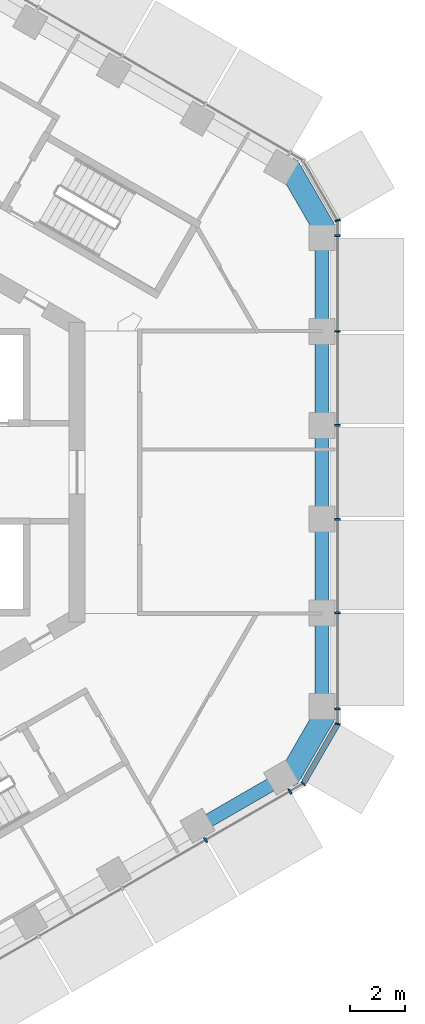
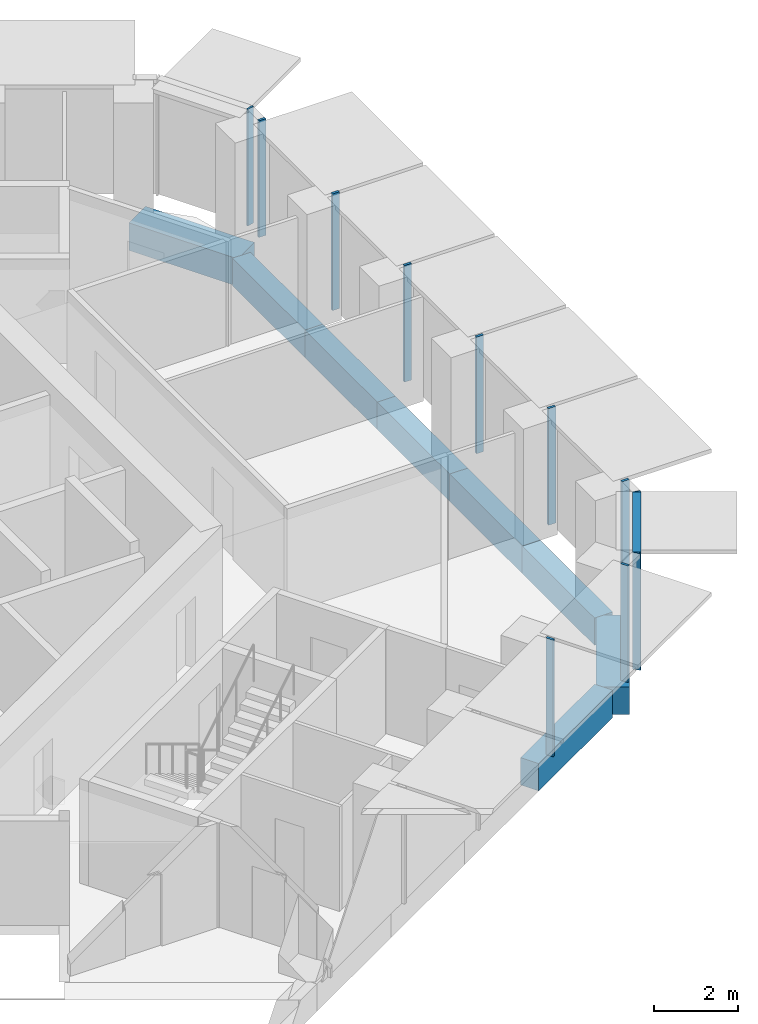
# One storey, part 5 of 18: 12 members, 8 beams, 4 elements without a shape of their own.
"""IFC4 building model written with IfcOpenShell, lengths in metres."""

from ifc_helpers import new_model, si_unit, direction, frame, origin, origin_2d, place, context, subcontext, project, spatial, rectangle, extrude, material, layer, layer_set, material_profile, profile_set, type_object, element, aggregate, save


model = new_model("IFC4")

# Units and contexts
model_context = context("Model", 3, precision=1e-05, world=origin(), true_north=direction((0.0, 1.0)))
body_context = subcontext(model_context, "Body", "Model", "MODEL_VIEW")
ifc_project = project(units=[si_unit("LENGTHUNIT", "METRE"), si_unit("AREAUNIT", "SQUARE_METRE"), si_unit("VOLUMEUNIT", "CUBIC_METRE"), si_unit("PLANEANGLEUNIT", "RADIAN"), si_unit("MASSUNIT", "GRAM", prefix="KILO")], contexts=[model_context])

# Site, building, storey
site_placement = place(None, origin())
site = spatial("IfcSite", under=ifc_project, at=site_placement, CompositionType="ELEMENT")
building_placement = place(site_placement, origin())
building = spatial("IfcBuilding", under=site, at=building_placement, Name="Ayvan Gate Tower", CompositionType="ELEMENT")
storey_placement = place(building_placement, frame((0.0, 0.0, 159.5)))
storey = spatial("IfcBuildingStorey", under=building, at=storey_placement, Name="L42", CompositionType="ELEMENT", Elevation=159.5)

# Beams
ifc_material_1 = material(Name="Concrete C40/50", Category="concrete")
ifc_material_profile_1 = material_profile(ifc_material_1, rectangle(XDim=0.800048828125, YDim=0.800048828125, at=origin_2d()), Name="RC 800x800")
ifc_profile_set_1 = profile_set([ifc_material_profile_1], Name="Concrete C40/50")
beam_type_1 = type_object("IfcBeamType", Name="Corner spandrel beam RC 800x800 C40/50", PredefinedType="BEAM", material=ifc_profile_set_1)
for number, where, z_axis, x_axis, name in (
    (1, (18.376953125, 8.756103515625, -0.75), (-0.50002537861, 0.866010750942, 0.0), (-0.866010750942, -0.50002537861, 0.0), "SB-L42-6"),
    (2, (16.876953125, -11.35400390625, -0.75), (0.50002537861, 0.866010750942, 0.0), (-0.866010750942, 0.50002537861, 0.0), "SB-L42-36"),
):
    element("IfcBeam", number, at=place(storey_placement, frame(where, z_axis=z_axis, x_axis=x_axis)), inside=storey, type_object=beam_type_1, Name=name, PredefinedType="BEAM", context=body_context, shape_type="SweptSolid", body=[
        extrude(rectangle(XDim=0.800048828125, YDim=0.800048828125, at=origin_2d()), origin(), (0.0, 0.0, 1.0), 2.999755859375),
    ])
ifc_material_profile_2 = material_profile(ifc_material_1, rectangle(XDim=0.5, YDim=0.800048828125, at=origin_2d()), Name="RC 500x800")
ifc_profile_set_2 = profile_set([ifc_material_profile_2], Name="Concrete C40/50")
beam_type_2 = type_object("IfcBeamType", Name="Spandrel beam RC 500x800 C40/50", PredefinedType="BEAM", material=ifc_profile_set_2)
beam_1_placement = place(storey_placement, frame((18.1865234375, -8.64599609375, -0.75), z_axis=(0.0, 1.0, 0.0), x_axis=(-1.0, 0.0, 0.0)))
element("IfcBeam", 3, at=beam_1_placement, inside=storey, type_object=beam_type_2, Name="SB-L42-1", PredefinedType="BEAM", context=body_context, shape_type="SweptSolid", body=[
    extrude(rectangle(XDim=0.5, YDim=0.800048828125, at=origin_2d()), origin(), (0.0, 0.0, 1.0), 3.45849609375),
])
beam_2_placement = place(storey_placement, frame((18.1865234375, -5.1875, -0.75), z_axis=(0.0, 1.0, 0.0), x_axis=(-1.0, 0.0, 0.0)))
element("IfcBeam", 4, at=beam_2_placement, inside=storey, type_object=beam_type_2, Name="SB-L42-2", PredefinedType="BEAM", context=body_context, shape_type="SweptSolid", body=[
    extrude(rectangle(XDim=0.5, YDim=0.800048828125, at=origin_2d()), origin(), (0.0, 0.0, 1.0), 3.458251953125),
])
beam_3_placement = place(storey_placement, frame((18.1865234375, -1.729248046875, -0.75), z_axis=(0.0, 1.0, 0.0), x_axis=(-1.0, 0.0, 0.0)))
element("IfcBeam", 5, at=beam_3_placement, inside=storey, type_object=beam_type_2, Name="SB-L42-3", PredefinedType="BEAM", context=body_context, shape_type="SweptSolid", body=[
    extrude(rectangle(XDim=0.5, YDim=0.800048828125, at=origin_2d()), origin(), (0.0, 0.0, 1.0), 3.45849609375),
])
beam_4_placement = place(storey_placement, frame((18.1865234375, 1.729248046875, -0.75), z_axis=(0.0, 1.0, 0.0), x_axis=(-1.0, 0.0, 0.0)))
element("IfcBeam", 6, at=beam_4_placement, inside=storey, type_object=beam_type_2, Name="SB-L42-4", PredefinedType="BEAM", context=body_context, shape_type="SweptSolid", body=[
    extrude(rectangle(XDim=0.5, YDim=0.800048828125, at=origin_2d()), origin(), (0.0, 0.0, 1.0), 3.458251953125),
])
beam_5_placement = place(storey_placement, frame((18.1865234375, 5.1875, -0.75), z_axis=(0.0, 1.0, 0.0), x_axis=(-1.0, 0.0, 0.0)))
element("IfcBeam", 7, at=beam_5_placement, inside=storey, type_object=beam_type_2, Name="SB-L42-5", PredefinedType="BEAM", context=body_context, shape_type="SweptSolid", body=[
    extrude(rectangle(XDim=0.5, YDim=0.800048828125, at=origin_2d()), origin(), (0.0, 0.0, 1.0), 3.45849609375),
])
beam_6_placement = place(storey_placement, frame((13.628173828125, -13.009765625, -0.75), z_axis=(0.866039378151, 0.499975794906, 0.0), x_axis=(-0.499975794906, 0.866039378151, 0.0)))
element("IfcBeam", 8, at=beam_6_placement, inside=storey, type_object=beam_type_2, Name="SB-L42-35", PredefinedType="BEAM", context=body_context, shape_type="SweptSolid", body=[
    extrude(rectangle(XDim=0.5, YDim=0.800048828125, at=origin_2d()), origin(), (0.0, 0.0, 1.0), 3.531494140625),
])

# Curtain wall, members
ifc_material_2 = material(Name="Bronze anodised aluminium", Category="aluminium")
ifc_layer_1 = layer(ifc_material_2, 0.199951171875)
ifc_layer_set_1 = layer_set([ifc_layer_1], Name="Bronze anodised aluminium")
curtain_wall_type_1 = type_object("IfcCurtainWallType", Name="Stick curtain wall CW-2", PredefinedType="NOTDEFINED", material=ifc_layer_set_1)
curtain_wall_1_placement = place(storey_placement, origin())
curtain_wall_1 = element("IfcCurtainWall", 9, at=curtain_wall_1_placement, inside=storey, type_object=curtain_wall_type_1, Name="Stick curtain wall CW-2 L42", PredefinedType="NOTDEFINED")
ifc_material_profile_3 = material_profile(ifc_material_2, rectangle(XDim=0.199951171875, YDim=0.070068359375, at=origin_2d()), Name="Stick curtain wall CW-2 mullion 200 x 70")
ifc_profile_set_3 = profile_set([ifc_material_profile_3], Name="Bronze anodised aluminium")
member_type_1 = type_object("IfcMemberType", Name="Stick curtain wall CW-2 mullion 200 x 70", PredefinedType="MULLION", material=ifc_profile_set_3)
member_1_placement = place(storey_placement, frame((13.921630859375, -13.4892578125, 0.0), z_axis=(0.0, 0.0, 1.0), x_axis=(0.5, -0.866025403784, 0.0)))
member_1 = element("IfcMember", 10, at=member_1_placement, type_object=member_type_1, Name="CW-2 mullion 5", PredefinedType="MULLION", context=body_context, shape_type="SweptSolid", body=[
    extrude(rectangle(XDim=0.199951171875, YDim=0.070068359375, at=origin_2d()), origin(), (0.0, 0.0, 1.0), 3.39990234375),
])
member_2_placement = place(storey_placement, frame((17.00927734375, -11.70654296875, 0.0), z_axis=(0.0, 0.0, 1.0), x_axis=(0.5, -0.866025403784, 0.0)))
member_2 = element("IfcMember", 11, at=member_2_placement, type_object=member_type_1, Name="CW-2 mullion 6", PredefinedType="MULLION", context=body_context, shape_type="SweptSolid", body=[
    extrude(rectangle(XDim=0.199951171875, YDim=0.070068359375, at=origin_2d()), origin(), (0.0, 0.0, 1.0), 3.39990234375),
])
aggregate(curtain_wall_1, [member_1, member_2])

curtain_wall_2_placement = place(storey_placement, origin())
curtain_wall_2 = element("IfcCurtainWall", 12, at=curtain_wall_2_placement, inside=storey, type_object=curtain_wall_type_1, Name="Stick curtain wall CW-2 L42", PredefinedType="NOTDEFINED")
member_3_placement = place(storey_placement, frame((18.761474609375, -8.671630859375, 0.0), z_axis=(0.0, 0.0, 1.0), x_axis=(1.0, 0.0, 0.0)))
member_3 = element("IfcMember", 13, at=member_3_placement, type_object=member_type_1, Name="CW-2 mullion 1", PredefinedType="MULLION", context=body_context, shape_type="SweptSolid", body=[
    extrude(rectangle(XDim=0.199951171875, YDim=0.070068359375, at=origin_2d()), origin(), (0.0, 0.0, 1.0), 3.39990234375),
])
member_4_placement = place(storey_placement, frame((18.761474609375, -5.15771484375, 0.0), z_axis=(0.0, 0.0, 1.0), x_axis=(1.0, 0.0, 0.0)))
member_4 = element("IfcMember", 14, at=member_4_placement, type_object=member_type_1, Name="CW-2 mullion 2", PredefinedType="MULLION", context=body_context, shape_type="SweptSolid", body=[
    extrude(rectangle(XDim=0.199951171875, YDim=0.070068359375, at=origin_2d()), origin(), (0.0, 0.0, 1.0), 3.39990234375),
])
member_5_placement = place(storey_placement, frame((18.761474609375, -1.719482421875, 0.0), z_axis=(0.0, 0.0, 1.0), x_axis=(1.0, 0.0, 0.0)))
member_5 = element("IfcMember", 15, at=member_5_placement, type_object=member_type_1, Name="CW-2 mullion 3", PredefinedType="MULLION", context=body_context, shape_type="SweptSolid", body=[
    extrude(rectangle(XDim=0.199951171875, YDim=0.070068359375, at=origin_2d()), origin(), (0.0, 0.0, 1.0), 3.39990234375),
])
member_6_placement = place(storey_placement, frame((18.761474609375, 1.719482421875, 0.0), z_axis=(0.0, 0.0, 1.0), x_axis=(1.0, 0.0, 0.0)))
member_6 = element("IfcMember", 16, at=member_6_placement, type_object=member_type_1, Name="CW-2 mullion 4", PredefinedType="MULLION", context=body_context, shape_type="SweptSolid", body=[
    extrude(rectangle(XDim=0.199951171875, YDim=0.070068359375, at=origin_2d()), origin(), (0.0, 0.0, 1.0), 3.39990234375),
])
member_7_placement = place(storey_placement, frame((18.761474609375, 5.158447265625, 0.0), z_axis=(0.0, 0.0, 1.0), x_axis=(1.0, 0.0, 0.0)))
member_7 = element("IfcMember", 17, at=member_7_placement, type_object=member_type_1, Name="CW-2 mullion 5", PredefinedType="MULLION", context=body_context, shape_type="SweptSolid", body=[
    extrude(rectangle(XDim=0.199951171875, YDim=0.070068359375, at=origin_2d()), origin(), (0.0, 0.0, 1.0), 3.39990234375),
])
member_8_placement = place(storey_placement, frame((18.761474609375, 8.671630859375, 0.0), z_axis=(0.0, 0.0, 1.0), x_axis=(1.0, 0.0, 0.0)))
member_8 = element("IfcMember", 18, at=member_8_placement, type_object=member_type_1, Name="CW-2 mullion 6", PredefinedType="MULLION", context=body_context, shape_type="SweptSolid", body=[
    extrude(rectangle(XDim=0.199951171875, YDim=0.070068359375, at=origin_2d()), origin(), (0.0, 0.0, 1.0), 3.39990234375),
])
aggregate(curtain_wall_2, [member_3, member_4, member_5, member_6, member_7, member_8])

ifc_layer_2 = layer(ifc_material_2, 0.199951171875)
ifc_layer_set_2 = layer_set([ifc_layer_2], Name="Bronze anodised aluminium")
curtain_wall_type_2 = type_object("IfcCurtainWallType", Name="Stick curtain wall CW-6", PredefinedType="NOTDEFINED", material=ifc_layer_set_2)
curtain_wall_3_placement = place(storey_placement, origin())
curtain_wall_3 = element("IfcCurtainWall", 19, at=curtain_wall_3_placement, inside=storey, type_object=curtain_wall_type_2, Name="Stick curtain wall CW-6 L42", PredefinedType="NOTDEFINED")
ifc_material_profile_4 = material_profile(ifc_material_2, rectangle(XDim=0.199951171875, YDim=0.050048828125, at=origin_2d()), Name="Stick curtain wall CW-6 mullion 200 x 50")
ifc_profile_set_4 = profile_set([ifc_material_profile_4], Name="Bronze anodised aluminium")
member_type_2 = type_object("IfcMemberType", Name="Stick curtain wall CW-6 mullion 200 x 50", PredefinedType="MULLION", material=ifc_profile_set_4)
member_9_placement = place(storey_placement, frame((17.494140625, -11.426513671875, 0.0), z_axis=(0.0, 0.0, 1.0), x_axis=(0.707106781187, -0.707106781187, 0.0)))
member_9 = element("IfcMember", 20, at=member_9_placement, type_object=member_type_2, Name="CW-6 mullion 2", PredefinedType="MULLION", context=body_context, shape_type="SweptSolid", body=[
    extrude(rectangle(XDim=0.199951171875, YDim=0.050048828125, at=origin_2d()), origin(), (0.0, 0.0, 1.0), 3.39990234375),
])
member_10_placement = place(storey_placement, frame((18.761474609375, -9.231689453125, 0.0), z_axis=(0.0, 0.0, 1.0), x_axis=(0.965925826289, -0.258819045103, 0.0)))
member_10 = element("IfcMember", 21, at=member_10_placement, type_object=member_type_2, Name="CW-6 mullion 3", PredefinedType="MULLION", context=body_context, shape_type="SweptSolid", body=[
    extrude(rectangle(XDim=0.199951171875, YDim=0.050048828125, at=origin_2d()), origin(), (0.0, 0.0, 1.0), 3.39990234375),
])

# Curtain wall, member
curtain_wall_4_placement = place(storey_placement, origin())
curtain_wall_4 = element("IfcCurtainWall", 22, at=curtain_wall_4_placement, inside=storey, type_object=curtain_wall_type_2, Name="Stick curtain wall CW-6 L42", PredefinedType="NOTDEFINED")
member_11_placement = place(storey_placement, frame((18.761474609375, 9.231689453125, 0.0), z_axis=(0.0, 0.0, 1.0), x_axis=(0.965925826289, 0.258819045103, 0.0)))
member_11 = element("IfcMember", 23, at=member_11_placement, type_object=member_type_2, Name="CW-6 mullion 2", PredefinedType="MULLION", context=body_context, shape_type="SweptSolid", body=[
    extrude(rectangle(XDim=0.199951171875, YDim=0.050048828125, at=origin_2d()), origin(), (0.0, 0.0, 1.0), 3.39990234375),
])
aggregate(curtain_wall_4, [member_11])

# Member
ifc_material_profile_5 = material_profile(ifc_material_2, rectangle(XDim=0.199951171875, YDim=0.1201171875, at=origin_2d()), Name="Stick curtain wall CW-6 transom 200 x 120")
ifc_profile_set_5 = profile_set([ifc_material_profile_5], Name="Bronze anodised aluminium")
member_type_3 = type_object("IfcMemberType", Name="Stick curtain wall CW-6 transom 200 x 120", PredefinedType="USERDEFINED", material=ifc_profile_set_5)
member_12_placement = place(storey_placement, frame((17.5068359375, -11.405029296875, 3.340087890625), z_axis=(0.499943602543, 0.866057962423, 0.0), x_axis=(-0.866057962423, 0.499943602543, 0.0)))
member_12 = element("IfcMember", 24, at=member_12_placement, type_object=member_type_3, Name="CW-6 transom 2", ObjectType="TRANSOM", PredefinedType="USERDEFINED", context=body_context, shape_type="SweptSolid", body=[
    extrude(rectangle(XDim=0.199951171875, YDim=0.1201171875, at=origin_2d()), origin(), (0.0, 0.0, 1.0), 2.484619140625),
])

aggregate(curtain_wall_3, [member_9, member_10, member_12])

save(model, "model.ifc")
